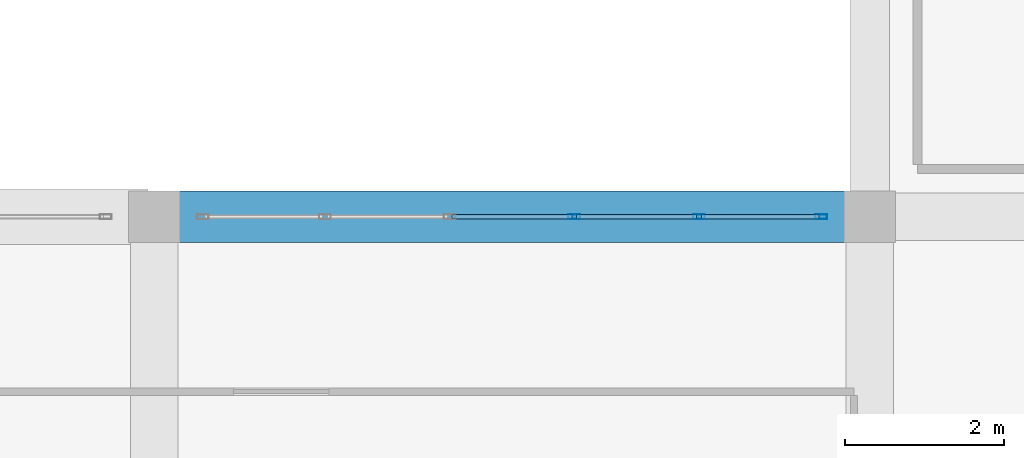
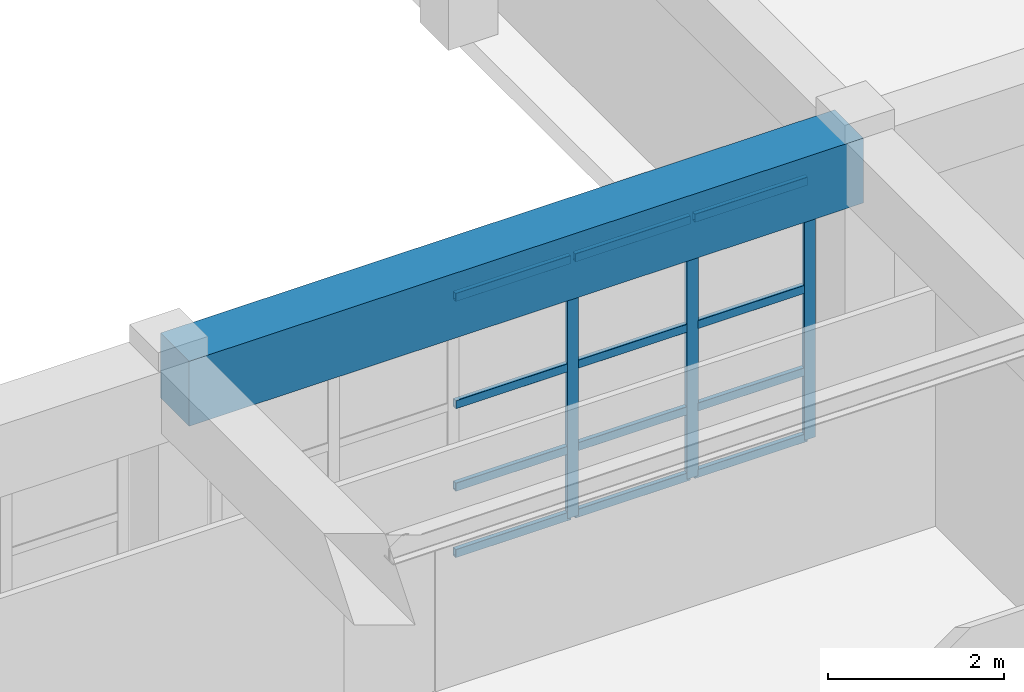
# One storey, part 78 of 133: 15 members, 1 beam, 1 element without a shape of its own.
"""IFC4 building model written with IfcOpenShell, lengths in metres."""

from ifc_helpers import new_model, si_unit, direction, frame, origin, origin_2d, place, context, subcontext, project, spatial, rectangle, hollow_rectangle, extrude, material, material_profile, profile_set, type_object, element, aggregate, save


model = new_model("IFC4")

# Units and contexts
model_context = context("Model", 3, precision=1e-05, world=origin(), true_north=direction((0.0, 1.0)))
body_context = subcontext(model_context, "Body", "Model", "MODEL_VIEW")
ifc_project = project(units=[si_unit("LENGTHUNIT", "METRE"), si_unit("AREAUNIT", "SQUARE_METRE"), si_unit("VOLUMEUNIT", "CUBIC_METRE"), si_unit("PLANEANGLEUNIT", "RADIAN"), si_unit("MASSUNIT", "GRAM", prefix="KILO")], contexts=[model_context])

# Site, building, storey
site_placement = place(None, origin())
site = spatial("IfcSite", under=ifc_project, at=site_placement, CompositionType="ELEMENT")
building_placement = place(site_placement, origin())
building = spatial("IfcBuilding", under=site, at=building_placement, Name="Miravela Opera House", CompositionType="ELEMENT")
storey_placement = place(building_placement, frame((0.0, 0.0, 5.10009765625)))
storey = spatial("IfcBuildingStorey", under=building, at=storey_placement, Name="L01", CompositionType="ELEMENT", Elevation=5.10009765625)

# Curtain wall, members
ifc_material_1 = material(Name="Anodised architectural bronze aluminium 6063-T6", Category="aluminium")
curtain_wall_type = type_object("IfcCurtainWallType", Name="ARC-CW-06", PredefinedType="NOTDEFINED", material=ifc_material_1)
curtain_wall_placement = place(storey_placement, origin())
curtain_wall = element("IfcCurtainWall", 1, at=curtain_wall_placement, inside=storey, type_object=curtain_wall_type, Name="Courtyard Arcade Curtain Wall CW-L01-179", PredefinedType="NOTDEFINED")
ifc_material_profile_1 = material_profile(ifc_material_1, hollow_rectangle(XDim=0.06005859375, YDim=0.14990234375, WallThickness=0.00390625, InnerFilletRadius=0.001953125, OuterFilletRadius=0.00390625, at=origin_2d()), Name="CWM-60X150")
ifc_profile_set_1 = profile_set([ifc_material_profile_1])
member_type_1 = type_object("IfcMemberType", Name="ARC-CWM-150", PredefinedType="MULLION", material=ifc_profile_set_1)
member_1_placement = place(storey_placement, frame((140.283935546875, 9.0, 0.0), z_axis=(0.0, 0.0, 1.0), x_axis=(0.0, 1.0, 0.0)))
member_1 = element("IfcMember", 2, at=member_1_placement, type_object=member_type_1, Name="CW-06 mullion 4", PredefinedType="MULLION", context=body_context, shape_type="SweptSolid", body=[
    extrude(hollow_rectangle(XDim=0.06005859375, YDim=0.14990234375, WallThickness=0.00390625, InnerFilletRadius=0.001953125, OuterFilletRadius=0.00390625, at=origin_2d()), origin(), (0.0, 0.0, 1.0), 3.60986328125),
])
member_2_placement = place(storey_placement, frame((141.85205078125, 9.0, 0.0), z_axis=(0.0, 0.0, 1.0), x_axis=(0.0, 1.0, 0.0)))
member_2 = element("IfcMember", 3, at=member_2_placement, type_object=member_type_1, Name="CW-06 mullion 5", PredefinedType="MULLION", context=body_context, shape_type="SweptSolid", body=[
    extrude(hollow_rectangle(XDim=0.06005859375, YDim=0.14990234375, WallThickness=0.00390625, InnerFilletRadius=0.001953125, OuterFilletRadius=0.00390625, at=origin_2d()), origin(), (0.0, 0.0, 1.0), 3.60986328125),
])
member_3_placement = place(storey_placement, frame((143.389892578125, 9.0, 0.0), z_axis=(0.0, 0.0, 1.0), x_axis=(0.0, 1.0, 0.0)))
member_3 = element("IfcMember", 4, at=member_3_placement, type_object=member_type_1, Name="CW-06 mullion 6", PredefinedType="MULLION", context=body_context, shape_type="SweptSolid", body=[
    extrude(hollow_rectangle(XDim=0.06005859375, YDim=0.14990234375, WallThickness=0.00390625, InnerFilletRadius=0.001953125, OuterFilletRadius=0.00390625, at=origin_2d()), origin(), (0.0, 0.0, 1.0), 3.60986328125),
])
ifc_material_profile_2 = material_profile(ifc_material_1, hollow_rectangle(XDim=0.06005859375, YDim=0.114990234375, WallThickness=0.00390625, InnerFilletRadius=0.001953125, OuterFilletRadius=0.00390625, at=origin_2d()), Name="CWT-60X115")
ifc_profile_set_2 = profile_set([ifc_material_profile_2])
member_type_2 = type_object("IfcMemberType", Name="ARC-CWT-115", PredefinedType="USERDEFINED", material=ifc_profile_set_2)
member_4_placement = place(storey_placement, frame((138.74609375, 9.0, 0.02978515625), z_axis=(1.0, 0.0, 0.0), x_axis=(0.0, 1.0, 0.0)))
member_4 = element("IfcMember", 5, at=member_4_placement, type_object=member_type_2, Name="CW-06 transom 3.1", ObjectType="TRANSOM", PredefinedType="USERDEFINED", context=body_context, shape_type="SweptSolid", body=[
    extrude(hollow_rectangle(XDim=0.06005859375, YDim=0.114990234375, WallThickness=0.00390625, InnerFilletRadius=0.001953125, OuterFilletRadius=0.00390625, at=origin_2d()), origin(), (0.0, 0.0, 1.0), 1.5078125),
])
member_5_placement = place(storey_placement, frame((138.74609375, 9.0, 0.949951171875), z_axis=(1.0, 0.0, 0.0), x_axis=(0.0, 1.0, 0.0)))
member_5 = element("IfcMember", 6, at=member_5_placement, type_object=member_type_2, Name="CW-06 transom 3.2", ObjectType="TRANSOM", PredefinedType="USERDEFINED", context=body_context, shape_type="SweptSolid", body=[
    extrude(hollow_rectangle(XDim=0.06005859375, YDim=0.114990234375, WallThickness=0.00390625, InnerFilletRadius=0.001953125, OuterFilletRadius=0.00390625, at=origin_2d()), origin(), (0.0, 0.0, 1.0), 1.5078125),
])
member_6_placement = place(storey_placement, frame((138.74609375, 9.0, 2.09375), z_axis=(1.0, 0.0, 0.0), x_axis=(0.0, 1.0, 0.0)))
member_6 = element("IfcMember", 7, at=member_6_placement, type_object=member_type_2, Name="CW-06 transom 3.3", ObjectType="TRANSOM", PredefinedType="USERDEFINED", context=body_context, shape_type="SweptSolid", body=[
    extrude(hollow_rectangle(XDim=0.06005859375, YDim=0.114990234375, WallThickness=0.00390625, InnerFilletRadius=0.001953125, OuterFilletRadius=0.00390625, at=origin_2d()), origin(), (0.0, 0.0, 1.0), 1.5078125),
])
member_7_placement = place(storey_placement, frame((138.74609375, 9.0, 3.579833984375), z_axis=(1.0, 0.0, 0.0), x_axis=(0.0, 1.0, 0.0)))
member_7 = element("IfcMember", 8, at=member_7_placement, type_object=member_type_2, Name="CW-06 transom 3.4", ObjectType="TRANSOM", PredefinedType="USERDEFINED", context=body_context, shape_type="SweptSolid", body=[
    extrude(hollow_rectangle(XDim=0.06005859375, YDim=0.114990234375, WallThickness=0.00390625, InnerFilletRadius=0.001953125, OuterFilletRadius=0.00390625, at=origin_2d()), origin(), (0.0, 0.0, 1.0), 1.5078125),
])
member_8_placement = place(storey_placement, frame((140.31396484375, 9.0, 0.02978515625), z_axis=(1.0, 0.0, 0.0), x_axis=(0.0, 1.0, 0.0)))
member_8 = element("IfcMember", 9, at=member_8_placement, type_object=member_type_2, Name="CW-06 transom 4.1", ObjectType="TRANSOM", PredefinedType="USERDEFINED", context=body_context, shape_type="SweptSolid", body=[
    extrude(hollow_rectangle(XDim=0.06005859375, YDim=0.114990234375, WallThickness=0.00390625, InnerFilletRadius=0.001953125, OuterFilletRadius=0.00390625, at=origin_2d()), origin(), (0.0, 0.0, 1.0), 1.508056640625),
])
member_9_placement = place(storey_placement, frame((140.31396484375, 9.0, 0.949951171875), z_axis=(1.0, 0.0, 0.0), x_axis=(0.0, 1.0, 0.0)))
member_9 = element("IfcMember", 10, at=member_9_placement, type_object=member_type_2, Name="CW-06 transom 4.2", ObjectType="TRANSOM", PredefinedType="USERDEFINED", context=body_context, shape_type="SweptSolid", body=[
    extrude(hollow_rectangle(XDim=0.06005859375, YDim=0.114990234375, WallThickness=0.00390625, InnerFilletRadius=0.001953125, OuterFilletRadius=0.00390625, at=origin_2d()), origin(), (0.0, 0.0, 1.0), 1.508056640625),
])
member_10_placement = place(storey_placement, frame((140.31396484375, 9.0, 2.09375), z_axis=(1.0, 0.0, 0.0), x_axis=(0.0, 1.0, 0.0)))
member_10 = element("IfcMember", 11, at=member_10_placement, type_object=member_type_2, Name="CW-06 transom 4.3", ObjectType="TRANSOM", PredefinedType="USERDEFINED", context=body_context, shape_type="SweptSolid", body=[
    extrude(hollow_rectangle(XDim=0.06005859375, YDim=0.114990234375, WallThickness=0.00390625, InnerFilletRadius=0.001953125, OuterFilletRadius=0.00390625, at=origin_2d()), origin(), (0.0, 0.0, 1.0), 1.508056640625),
])
member_11_placement = place(storey_placement, frame((140.31396484375, 9.0, 3.579833984375), z_axis=(1.0, 0.0, 0.0), x_axis=(0.0, 1.0, 0.0)))
member_11 = element("IfcMember", 12, at=member_11_placement, type_object=member_type_2, Name="CW-06 transom 4.4", ObjectType="TRANSOM", PredefinedType="USERDEFINED", context=body_context, shape_type="SweptSolid", body=[
    extrude(hollow_rectangle(XDim=0.06005859375, YDim=0.114990234375, WallThickness=0.00390625, InnerFilletRadius=0.001953125, OuterFilletRadius=0.00390625, at=origin_2d()), origin(), (0.0, 0.0, 1.0), 1.508056640625),
])
member_12_placement = place(storey_placement, frame((141.882080078125, 9.0, 0.02978515625), z_axis=(1.0, 0.0, 0.0), x_axis=(0.0, 1.0, 0.0)))
member_12 = element("IfcMember", 13, at=member_12_placement, type_object=member_type_2, Name="CW-06 transom 5.1", ObjectType="TRANSOM", PredefinedType="USERDEFINED", context=body_context, shape_type="SweptSolid", body=[
    extrude(hollow_rectangle(XDim=0.06005859375, YDim=0.114990234375, WallThickness=0.00390625, InnerFilletRadius=0.001953125, OuterFilletRadius=0.00390625, at=origin_2d()), origin(), (0.0, 0.0, 1.0), 1.47802734375),
])
member_13_placement = place(storey_placement, frame((141.882080078125, 9.0, 0.949951171875), z_axis=(1.0, 0.0, 0.0), x_axis=(0.0, 1.0, 0.0)))
member_13 = element("IfcMember", 14, at=member_13_placement, type_object=member_type_2, Name="CW-06 transom 5.2", ObjectType="TRANSOM", PredefinedType="USERDEFINED", context=body_context, shape_type="SweptSolid", body=[
    extrude(hollow_rectangle(XDim=0.06005859375, YDim=0.114990234375, WallThickness=0.00390625, InnerFilletRadius=0.001953125, OuterFilletRadius=0.00390625, at=origin_2d()), origin(), (0.0, 0.0, 1.0), 1.47802734375),
])
member_14_placement = place(storey_placement, frame((141.882080078125, 9.0, 2.09375), z_axis=(1.0, 0.0, 0.0), x_axis=(0.0, 1.0, 0.0)))
member_14 = element("IfcMember", 15, at=member_14_placement, type_object=member_type_2, Name="CW-06 transom 5.3", ObjectType="TRANSOM", PredefinedType="USERDEFINED", context=body_context, shape_type="SweptSolid", body=[
    extrude(hollow_rectangle(XDim=0.06005859375, YDim=0.114990234375, WallThickness=0.00390625, InnerFilletRadius=0.001953125, OuterFilletRadius=0.00390625, at=origin_2d()), origin(), (0.0, 0.0, 1.0), 1.47802734375),
])
member_15_placement = place(storey_placement, frame((141.882080078125, 9.0, 3.579833984375), z_axis=(1.0, 0.0, 0.0), x_axis=(0.0, 1.0, 0.0)))
member_15 = element("IfcMember", 16, at=member_15_placement, type_object=member_type_2, Name="CW-06 transom 5.4", ObjectType="TRANSOM", PredefinedType="USERDEFINED", context=body_context, shape_type="SweptSolid", body=[
    extrude(hollow_rectangle(XDim=0.06005859375, YDim=0.114990234375, WallThickness=0.00390625, InnerFilletRadius=0.001953125, OuterFilletRadius=0.00390625, at=origin_2d()), origin(), (0.0, 0.0, 1.0), 1.47802734375),
])
aggregate(curtain_wall, [member_1, member_2, member_3, member_4, member_5, member_6, member_7, member_8, member_9, member_10, member_11, member_12, member_13, member_14, member_15])

# Beam
ifc_material_2 = material(Name="Concrete C40/50", Category="concrete")
ifc_material_profile_3 = material_profile(ifc_material_2, rectangle(XDim=0.64990234375, YDim=0.89990234375, at=origin_2d()), Name="RC-BM-650X900")
ifc_profile_set_3 = profile_set([ifc_material_profile_3])
beam_type = type_object("IfcBeamType", Name="STR-BM-RC650X900", PredefinedType="BEAM", material=ifc_profile_set_3)
beam_placement = place(storey_placement, frame((135.080078125, 9.0, 3.7099609375), z_axis=(1.0, 0.0, 0.0), x_axis=(0.0, 1.0, 0.0)))
element("IfcBeam", 17, at=beam_placement, inside=storey, type_object=beam_type, Name="Floor Girder L01 16-17/B", PredefinedType="BEAM", context=body_context, shape_type="SweptSolid", body=[
    extrude(rectangle(XDim=0.64990234375, YDim=0.89990234375, at=origin_2d()), origin(), (0.0, 0.0, 1.0), 8.83984375),
])

save(model, "model.ifc")
